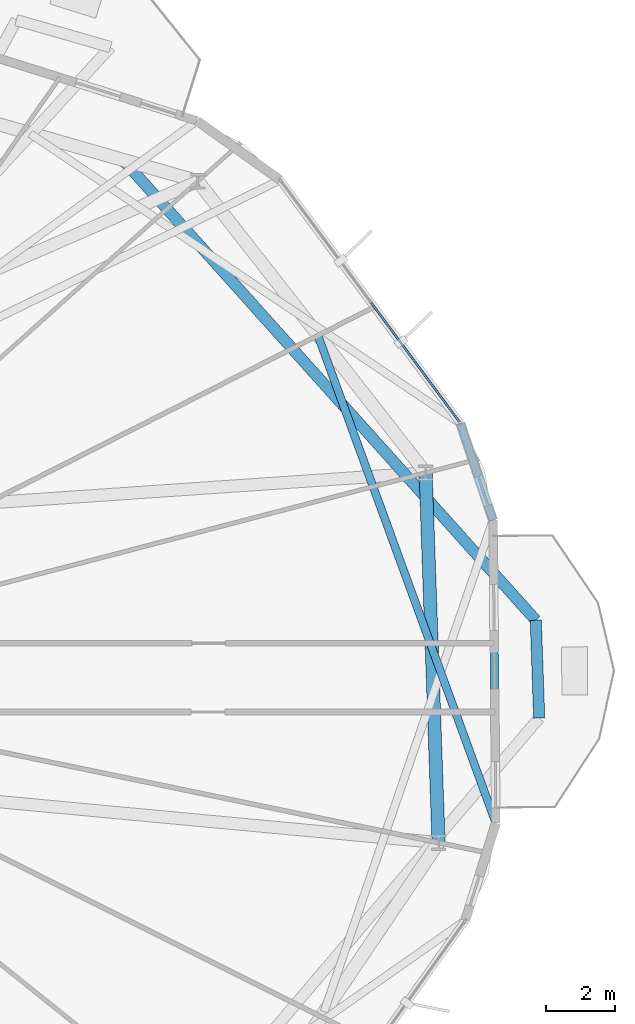
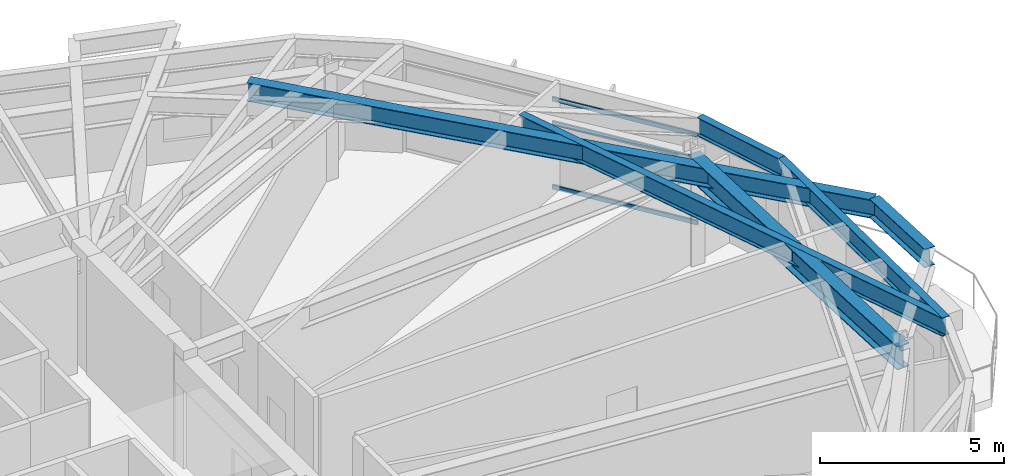
# One storey, part 15 of 27: 6 beams, 3 members, 1 element without a shape of its own.
"""IFC4 building model written with IfcOpenShell, lengths in metres."""

from ifc_helpers import new_model, si_unit, direction, frame, origin, origin_2d, place, context, subcontext, project, spatial, hollow_rectangle, i_section, extrude, material, layer, layer_set, material_profile, profile_set, type_object, element, aggregate, save


model = new_model("IFC4")

# Units and contexts
model_context = context("Model", 3, precision=1e-05, world=origin(), true_north=direction((0.0, 1.0)))
body_context = subcontext(model_context, "Body", "Model", "MODEL_VIEW")
ifc_project = project(units=[si_unit("LENGTHUNIT", "METRE"), si_unit("AREAUNIT", "SQUARE_METRE"), si_unit("VOLUMEUNIT", "CUBIC_METRE"), si_unit("PLANEANGLEUNIT", "RADIAN"), si_unit("MASSUNIT", "GRAM", prefix="KILO")], contexts=[model_context])

# Site, building, storey
site_placement = place(None, origin())
site = spatial("IfcSite", under=ifc_project, at=site_placement, CompositionType="ELEMENT")
building_placement = place(site_placement, origin())
building = spatial("IfcBuilding", under=site, at=building_placement, Name="Soratama Intermodal Tower", CompositionType="ELEMENT")
storey_placement = place(building_placement, frame((0.0, 0.0, 103.0)))
storey = spatial("IfcBuildingStorey", under=building, at=storey_placement, Name="L24", CompositionType="ELEMENT", Elevation=103.0)

# Beams
ifc_material_1 = material(Name="Structural steel ASTM A992 Grade 50", Category="steel")
ifc_material_profile_1 = material_profile(ifc_material_1, i_section(OverallWidth=0.324951171875, OverallDepth=0.615966796875, WebThickness=0.013916015625, FlangeThickness=0.021484375, FilletRadius=0.013916015625, at=origin_2d()), Name="W24X117")
ifc_profile_set_1 = profile_set([ifc_material_profile_1], Name="Structural steel ASTM A992 Grade 50")
beam_type_1 = type_object("IfcBeamType", Name="BM-CANT-W24X117", PredefinedType="BEAM", material=ifc_profile_set_1)
beam_1_placement = place(storey_placement, frame((64.65087890625, 23.823974609375, 3.2919921875), z_axis=(-0.034734027255, 0.999396591624, 0.0), x_axis=(-0.999396591624, -0.034734027255, 0.0)))
element("IfcBeam", 1, at=beam_1_placement, inside=storey, type_object=beam_type_1, Name="BM-L24-CBHDR-1", PredefinedType="BEAM", context=body_context, shape_type="SweptSolid", body=[
    extrude(i_section(OverallWidth=0.324951171875, OverallDepth=0.615966796875, WebThickness=0.013916015625, FlangeThickness=0.021484375, FilletRadius=0.013916015625, at=origin_2d()), origin(), (0.0, 0.0, 1.0), 2.8466796875),
])
beam_2_placement = place(storey_placement, frame((52.58203125, 40.01904296875, 3.2919921875), z_axis=(0.667573386937, -0.744544003437, 0.0), x_axis=(0.744544003437, 0.667573386937, 0.0)))
element("IfcBeam", 2, at=beam_2_placement, inside=storey, type_object=beam_type_1, Name="BM-L24-CANT-1-2", PredefinedType="BEAM", context=body_context, shape_type="SweptSolid", body=[
    extrude(i_section(OverallWidth=0.324951171875, OverallDepth=0.615966796875, WebThickness=0.013916015625, FlangeThickness=0.021484375, FilletRadius=0.013916015625, at=origin_2d()), origin(), (0.0, 0.0, 1.0), 17.9306640625),
])
ifc_material_2 = material(Name="Structural steel ASTM A992 Grade 50", Category="steel")
ifc_material_profile_2 = material_profile(ifc_material_2, i_section(OverallWidth=0.382080078125, OverallDepth=0.779052734375, WebThickness=0.01806640625, FlangeThickness=0.030029296875, FilletRadius=0.01806640625, at=origin_2d()), Name="W30X191")
ifc_profile_set_2 = profile_set([ifc_material_profile_2], Name="Structural steel ASTM A992 Grade 50")
beam_type_2 = type_object("IfcBeamType", Name="BM-RING-W30X191", PredefinedType="BEAM", material=ifc_profile_set_2)
beam_3_placement = place(storey_placement, frame((61.72607421875, 20.2041015625, 3.21044921875), z_axis=(-0.034872799059, 0.999391758964, 0.0), x_axis=(-0.999391758964, -0.034872799059, 0.0)))
element("IfcBeam", 3, at=beam_3_placement, inside=storey, type_object=beam_type_2, Name="BM-L24-RING-10", PredefinedType="BEAM", context=body_context, shape_type="SweptSolid", body=[
    extrude(i_section(OverallWidth=0.382080078125, OverallDepth=0.779052734375, WebThickness=0.01806640625, FlangeThickness=0.030029296875, FilletRadius=0.01806640625, at=origin_2d()), origin(), (0.0, 0.0, 1.0), 10.75341796875),
])
ifc_material_3 = material(Name="Structural steel ASTM A992 Grade 50", Category="steel")
ifc_material_profile_3 = material_profile(ifc_material_3, i_section(OverallWidth=0.22900390625, OverallDepth=0.612060546875, WebThickness=0.011962890625, FlangeThickness=0.01953125, FilletRadius=0.012939453125, at=origin_2d()), Name="W24X84")
ifc_profile_set_3 = profile_set([ifc_material_profile_3], Name="Structural steel ASTM A992 Grade 50")
beam_type_3 = type_object("IfcBeamType", Name="BM-SPN-W24X84", PredefinedType="SPANDREL", material=ifc_profile_set_3)
beam_4_placement = place(storey_placement, frame((63.39306640625, 20.77001953125, 3.2939453125), z_axis=(-0.009425958451, 0.999955574667, 0.0), x_axis=(-0.999955574667, -0.009425958451, 0.0)))
element("IfcBeam", 4, at=beam_4_placement, inside=storey, type_object=beam_type_3, Name="BS-L24-F10", PredefinedType="SPANDREL", context=body_context, shape_type="SweptSolid", body=[
    extrude(i_section(OverallWidth=0.22900390625, OverallDepth=0.612060546875, WebThickness=0.011962890625, FlangeThickness=0.01953125, FilletRadius=0.012939453125, at=origin_2d()), origin(), (0.0, 0.0, 1.0), 8.806396484375),
])
beam_5_placement = place(storey_placement, frame((63.31005859375, 29.575927734375, 3.2939453125), z_axis=(-0.318177136265, 0.948031281108, 0.0), x_axis=(-0.948031281108, -0.318177136265, 0.0)))
element("IfcBeam", 5, at=beam_5_placement, inside=storey, type_object=beam_type_3, Name="BS-L24-CRN10", PredefinedType="SPANDREL", context=body_context, shape_type="SweptSolid", body=[
    extrude(i_section(OverallWidth=0.22900390625, OverallDepth=0.612060546875, WebThickness=0.011962890625, FlangeThickness=0.01953125, FilletRadius=0.012939453125, at=origin_2d()), origin(), (0.0, 0.0, 1.0), 2.96728515625),
])
ifc_material_4 = material(Name="Structural steel ASTM A992 Grade 50", Category="steel")
ifc_material_profile_4 = material_profile(ifc_material_4, i_section(OverallWidth=0.22900390625, OverallDepth=0.612060546875, WebThickness=0.011962890625, FlangeThickness=0.01953125, FilletRadius=0.012939453125, at=origin_2d()), Name="W24X84")
ifc_profile_set_4 = profile_set([ifc_material_profile_4], Name="Structural steel ASTM A992 Grade 50")
beam_type_4 = type_object("IfcBeamType", Name="BM-TIE-W24X84", PredefinedType="BEAM", material=ifc_profile_set_4)
beam_6_placement = place(storey_placement, frame((58.22412109375, 34.93310546875, 3.2939453125), z_axis=(0.342840178158, -0.93939374718, 0.0), x_axis=(0.93939374718, 0.342840178158, 0.0)))
element("IfcBeam", 6, at=beam_6_placement, inside=storey, type_object=beam_type_4, Name="BM-L24-TIE0-10", PredefinedType="BEAM", context=body_context, shape_type="SweptSolid", body=[
    extrude(i_section(OverallWidth=0.22900390625, OverallDepth=0.612060546875, WebThickness=0.011962890625, FlangeThickness=0.01953125, FilletRadius=0.012939453125, at=origin_2d()), origin(), (0.0, 0.0, 1.0), 15.076904296875),
])

# Curtain wall, members
ifc_material_5 = material(Name="Double-glazed aluminium curtain wall", Category="aluminium")
ifc_layer = layer(ifc_material_5, 0.159912109375)
ifc_layer_set = layer_set([ifc_layer], Name="Double-glazed aluminium curtain wall")
curtain_wall_type = type_object("IfcCurtainWallType", Name="CW-SYS-3", PredefinedType="NOTDEFINED", material=ifc_layer_set)
curtain_wall_placement = place(storey_placement, origin())
curtain_wall = element("IfcCurtainWall", 7, at=curtain_wall_placement, inside=storey, type_object=curtain_wall_type, Name="L24 Faceted Curtain Wall F01", PredefinedType="NOTDEFINED")
ifc_material_6 = material(Name="Anodised aluminium AA 6063-T6", Category="aluminium")
ifc_material_profile_5 = material_profile(ifc_material_6, hollow_rectangle(XDim=0.06494140625, YDim=0.14990234375, WallThickness=0.0048828125, InnerFilletRadius=0.0048828125, OuterFilletRadius=0.010009765625, at=origin_2d()), Name="CWT150X65X5")
ifc_profile_set_5 = profile_set([ifc_material_profile_5], Name="Anodised aluminium AA 6063-T6")
member_type = type_object("IfcMemberType", Name="TT-CWT-1", PredefinedType="USERDEFINED", material=ifc_profile_set_5)
member_1_placement = place(storey_placement, frame((62.33056640625, 32.436767578125, 0.030029296875), z_axis=(-0.59538049651, 0.803443877552, 0.0), x_axis=(-0.803443877552, -0.59538049651, 0.0)))
member_1 = element("IfcMember", 8, at=member_1_placement, type_object=member_type, Name="CW-3 transom 1.1", ObjectType="TRANSOM", PredefinedType="USERDEFINED", context=body_context, shape_type="SweptSolid", body=[
    extrude(hollow_rectangle(XDim=0.06494140625, YDim=0.14990234375, WallThickness=0.0048828125, InnerFilletRadius=0.0048828125, OuterFilletRadius=0.010009765625, at=origin_2d()), origin(), (0.0, 0.0, 1.0), 4.3134765625),
])
member_2_placement = place(storey_placement, frame((62.33056640625, 32.436767578125, 2.14990234375), z_axis=(-0.59538049651, 0.803443877552, 0.0), x_axis=(-0.803443877552, -0.59538049651, 0.0)))
member_2 = element("IfcMember", 9, at=member_2_placement, type_object=member_type, Name="CW-3 transom 1.2", ObjectType="TRANSOM", PredefinedType="USERDEFINED", context=body_context, shape_type="SweptSolid", body=[
    extrude(hollow_rectangle(XDim=0.06494140625, YDim=0.14990234375, WallThickness=0.0048828125, InnerFilletRadius=0.0048828125, OuterFilletRadius=0.010009765625, at=origin_2d()), origin(), (0.0, 0.0, 1.0), 4.3134765625),
])
member_3_placement = place(storey_placement, frame((62.33056640625, 32.436767578125, 2.948974609375), z_axis=(-0.59538049651, 0.803443877552, 0.0), x_axis=(-0.803443877552, -0.59538049651, 0.0)))
member_3 = element("IfcMember", 10, at=member_3_placement, type_object=member_type, Name="CW-3 transom 1.3", ObjectType="TRANSOM", PredefinedType="USERDEFINED", context=body_context, shape_type="SweptSolid", body=[
    extrude(hollow_rectangle(XDim=0.06494140625, YDim=0.14990234375, WallThickness=0.0048828125, InnerFilletRadius=0.0048828125, OuterFilletRadius=0.010009765625, at=origin_2d()), origin(), (0.0, 0.0, 1.0), 4.3134765625),
])
aggregate(curtain_wall, [member_1, member_2, member_3])

save(model, "model.ifc")
